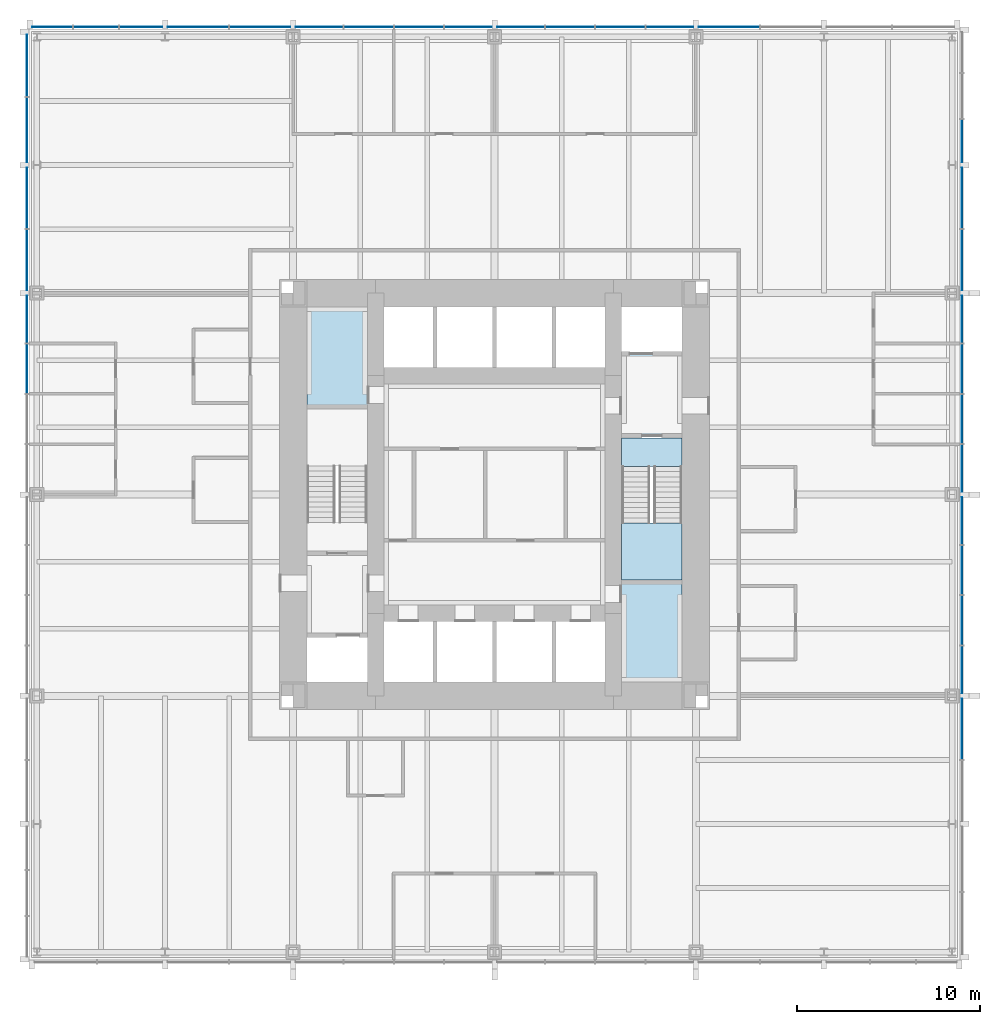
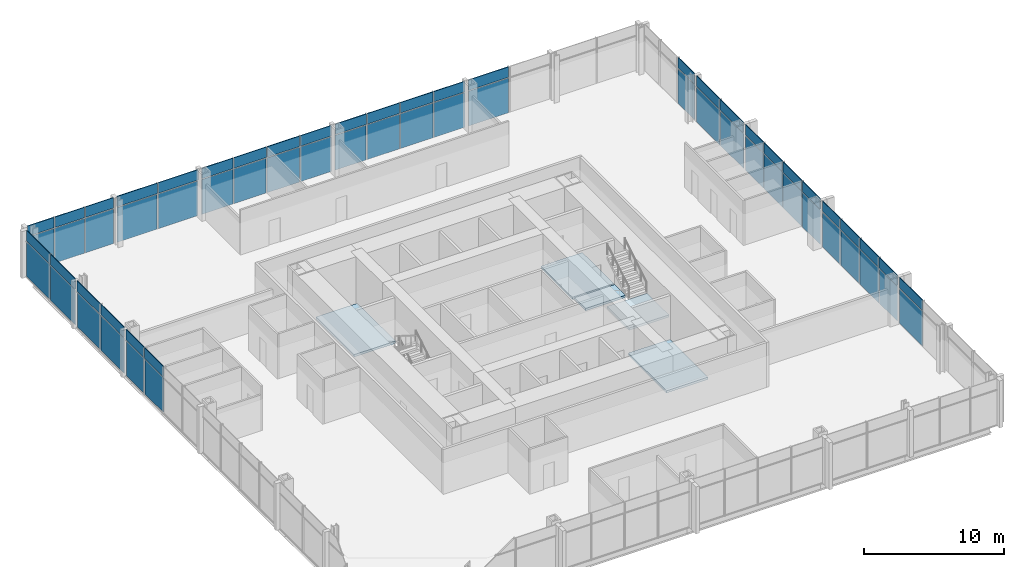
# One storey, part 8 of 12: 64 plates, 5 slabs, 4 elements without a shape of their own.
"""IFC4 building model written with IfcOpenShell, lengths in metres."""

from ifc_helpers import new_model, si_unit, direction, frame, origin, origin_2d, place, context, subcontext, project, spatial, polyline, rectangle, outline, extrude, material, layer, layer_set, type_object, element, aggregate, save


model = new_model("IFC4")

# Units and contexts
model_context = context("Model", 3, precision=1e-05, world=origin(), true_north=direction((0.0, 1.0)))
body_context = subcontext(model_context, "Body", "Model", "MODEL_VIEW")
ifc_project = project(units=[si_unit("LENGTHUNIT", "METRE"), si_unit("AREAUNIT", "SQUARE_METRE"), si_unit("VOLUMEUNIT", "CUBIC_METRE"), si_unit("PLANEANGLEUNIT", "RADIAN"), si_unit("MASSUNIT", "GRAM", prefix="KILO")], contexts=[model_context])

# Site, building, storey
site_placement = place(None, origin())
site = spatial("IfcSite", under=ifc_project, at=site_placement, CompositionType="ELEMENT")
building_placement = place(site_placement, origin())
building = spatial("IfcBuilding", under=site, at=building_placement, Name="Trevanion Tower", CompositionType="ELEMENT")
storey_placement = place(building_placement, frame((0.0, 0.0, 61.10009765625)))
storey = spatial("IfcBuildingStorey", under=building, at=storey_placement, Name="L14", CompositionType="ELEMENT", Elevation=61.10009765625)

# Curtain wall, plates
ifc_material_1 = material(Name="Aluminium and glass", Category="aluminium")
curtain_wall_type = type_object("IfcCurtainWallType", Name="CW1 curtain wall", PredefinedType="USERDEFINED", material=ifc_material_1)
curtain_wall_1_placement = place(storey_placement, origin())
curtain_wall_1 = element("IfcCurtainWall", 1, at=curtain_wall_1_placement, inside=storey, type_object=curtain_wall_type, Name="CW1 L14 0", ObjectType="UNITISED CURTAIN WALL", PredefinedType="USERDEFINED")
ifc_material_2 = material(Name="Aluminium spandrel panel", Category="aluminium")
ifc_layer_1 = layer(ifc_material_2, 0.06005859375)
ifc_layer_set_1 = layer_set([ifc_layer_1], Name="CW1 spandrel panel")
plate_type_1 = type_object("IfcPlateType", Name="CW1 spandrel panel", PredefinedType="CURTAIN_PANEL", material=ifc_layer_set_1)
plate_1_placement = place(storey_placement, frame((25.550048828125, -12.806396484375, 2.997314453125), z_axis=(0.0, 0.0, 1.0), x_axis=(0.0, 1.0, 0.0)))
plate_1 = element("IfcPlate", 2, at=plate_1_placement, type_object=plate_type_1, Name="CW1 panel 4.2", PredefinedType="CURTAIN_PANEL", context=body_context, shape_type="SweptSolid", body=[
    extrude(rectangle(XDim=3.3125, YDim=0.06005859375, at=origin_2d()), origin(), (0.0, 0.0, 1.0), 0.91259765625),
])
plate_2_placement = place(storey_placement, frame((25.550048828125, -9.56884765625, 2.997314453125), z_axis=(0.0, 0.0, 1.0), x_axis=(0.0, 1.0, 0.0)))
plate_2 = element("IfcPlate", 3, at=plate_2_placement, type_object=plate_type_1, Name="CW1 panel 5.2", PredefinedType="CURTAIN_PANEL", context=body_context, shape_type="SweptSolid", body=[
    extrude(rectangle(XDim=2.5625, YDim=0.06005859375, at=origin_2d()), origin(), (0.0, 0.0, 1.0), 0.91259765625),
])
plate_3_placement = place(storey_placement, frame((25.550048828125, -6.875, 2.997314453125), z_axis=(0.0, 0.0, 1.0), x_axis=(0.0, 1.0, 0.0)))
plate_3 = element("IfcPlate", 4, at=plate_3_placement, type_object=plate_type_1, Name="CW1 panel 6.2", PredefinedType="CURTAIN_PANEL", context=body_context, shape_type="SweptSolid", body=[
    extrude(rectangle(XDim=2.675048828125, YDim=0.06005859375, at=origin_2d()), origin(), (0.0, 0.0, 1.0), 0.91259765625),
])
plate_4_placement = place(storey_placement, frame((25.550048828125, -4.125, 2.997314453125), z_axis=(0.0, 0.0, 1.0), x_axis=(0.0, 1.0, 0.0)))
plate_4 = element("IfcPlate", 5, at=plate_4_placement, type_object=plate_type_1, Name="CW1 panel 7.2", PredefinedType="CURTAIN_PANEL", context=body_context, shape_type="SweptSolid", body=[
    extrude(rectangle(XDim=2.675048828125, YDim=0.06005859375, at=origin_2d()), origin(), (0.0, 0.0, 1.0), 0.91259765625),
])
plate_5_placement = place(storey_placement, frame((25.550048828125, -1.43115234375, 2.997314453125), z_axis=(0.0, 0.0, 1.0), x_axis=(0.0, 1.0, 0.0)))
plate_5 = element("IfcPlate", 6, at=plate_5_placement, type_object=plate_type_1, Name="CW1 panel 8.2", PredefinedType="CURTAIN_PANEL", context=body_context, shape_type="SweptSolid", body=[
    extrude(rectangle(XDim=2.5625, YDim=0.06005859375, at=origin_2d()), origin(), (0.0, 0.0, 1.0), 0.91259765625),
])
plate_6_placement = place(storey_placement, frame((25.550048828125, 1.43115234375, 2.997314453125), z_axis=(0.0, 0.0, 1.0), x_axis=(0.0, 1.0, 0.0)))
plate_6 = element("IfcPlate", 7, at=plate_6_placement, type_object=plate_type_1, Name="CW1 panel 9.2", PredefinedType="CURTAIN_PANEL", context=body_context, shape_type="SweptSolid", body=[
    extrude(rectangle(XDim=2.5625, YDim=0.06005859375, at=origin_2d()), origin(), (0.0, 0.0, 1.0), 0.91259765625),
])
plate_7_placement = place(storey_placement, frame((25.550048828125, 4.125, 2.997314453125), z_axis=(0.0, 0.0, 1.0), x_axis=(0.0, 1.0, 0.0)))
plate_7 = element("IfcPlate", 8, at=plate_7_placement, type_object=plate_type_1, Name="CW1 panel 10.2", PredefinedType="CURTAIN_PANEL", context=body_context, shape_type="SweptSolid", body=[
    extrude(rectangle(XDim=2.675048828125, YDim=0.06005859375, at=origin_2d()), origin(), (0.0, 0.0, 1.0), 0.91259765625),
])
plate_8_placement = place(storey_placement, frame((25.550048828125, 6.875, 2.997314453125), z_axis=(0.0, 0.0, 1.0), x_axis=(0.0, 1.0, 0.0)))
plate_8 = element("IfcPlate", 9, at=plate_8_placement, type_object=plate_type_1, Name="CW1 panel 11.2", PredefinedType="CURTAIN_PANEL", context=body_context, shape_type="SweptSolid", body=[
    extrude(rectangle(XDim=2.675048828125, YDim=0.06005859375, at=origin_2d()), origin(), (0.0, 0.0, 1.0), 0.91259765625),
])
plate_9_placement = place(storey_placement, frame((25.550048828125, 9.56884765625, 2.997314453125), z_axis=(0.0, 0.0, 1.0), x_axis=(0.0, 1.0, 0.0)))
plate_9 = element("IfcPlate", 10, at=plate_9_placement, type_object=plate_type_1, Name="CW1 panel 12.2", PredefinedType="CURTAIN_PANEL", context=body_context, shape_type="SweptSolid", body=[
    extrude(rectangle(XDim=2.5625, YDim=0.06005859375, at=origin_2d()), origin(), (0.0, 0.0, 1.0), 0.91259765625),
])
plate_10_placement = place(storey_placement, frame((25.550048828125, 12.80615234375, 2.997314453125), z_axis=(0.0, 0.0, 1.0), x_axis=(0.0, 1.0, 0.0)))
plate_10 = element("IfcPlate", 11, at=plate_10_placement, type_object=plate_type_1, Name="CW1 panel 13.2", PredefinedType="CURTAIN_PANEL", context=body_context, shape_type="SweptSolid", body=[
    extrude(rectangle(XDim=3.3125, YDim=0.06005859375, at=origin_2d()), origin(), (0.0, 0.0, 1.0), 0.91259765625),
])
plate_11_placement = place(storey_placement, frame((25.550048828125, 16.19384765625, 2.997314453125), z_axis=(0.0, 0.0, 1.0), x_axis=(0.0, 1.0, 0.0)))
plate_11 = element("IfcPlate", 12, at=plate_11_placement, type_object=plate_type_1, Name="CW1 panel 14.2", PredefinedType="CURTAIN_PANEL", context=body_context, shape_type="SweptSolid", body=[
    extrude(rectangle(XDim=3.3125, YDim=0.06005859375, at=origin_2d()), origin(), (0.0, 0.0, 1.0), 0.91259765625),
])
plate_12_placement = place(storey_placement, frame((25.550048828125, 19.314697265625, 2.997314453125), z_axis=(0.0, 0.0, 1.0), x_axis=(0.0, 1.0, 0.0)))
plate_12 = element("IfcPlate", 13, at=plate_12_placement, type_object=plate_type_1, Name="CW1 panel 15.2", PredefinedType="CURTAIN_PANEL", context=body_context, shape_type="SweptSolid", body=[
    extrude(rectangle(XDim=2.3291015625, YDim=0.06005859375, at=origin_2d()), origin(), (0.0, 0.0, 1.0), 0.91259765625),
])

curtain_wall_2_placement = place(storey_placement, origin())
curtain_wall_2 = element("IfcCurtainWall", 14, at=curtain_wall_2_placement, inside=storey, type_object=curtain_wall_type, Name="CW1 L14 1", ObjectType="UNITISED CURTAIN WALL", PredefinedType="USERDEFINED")
plate_13_placement = place(storey_placement, frame((12.806396484375, 25.550048828125, 2.997314453125), z_axis=(0.0, 0.0, 1.0), x_axis=(-1.0, 0.0, 0.0)))
plate_13 = element("IfcPlate", 15, at=plate_13_placement, type_object=plate_type_1, Name="CW1 panel 4.2", PredefinedType="CURTAIN_PANEL", context=body_context, shape_type="SweptSolid", body=[
    extrude(rectangle(XDim=3.3125, YDim=0.06005859375, at=origin_2d()), origin(), (0.0, 0.0, 1.0), 0.91259765625),
])
plate_14_placement = place(storey_placement, frame((9.56884765625, 25.550048828125, 2.997314453125), z_axis=(0.0, 0.0, 1.0), x_axis=(-1.0, 0.0, 0.0)))
plate_14 = element("IfcPlate", 16, at=plate_14_placement, type_object=plate_type_1, Name="CW1 panel 5.2", PredefinedType="CURTAIN_PANEL", context=body_context, shape_type="SweptSolid", body=[
    extrude(rectangle(XDim=2.5625, YDim=0.06005859375, at=origin_2d()), origin(), (0.0, 0.0, 1.0), 0.91259765625),
])
plate_15_placement = place(storey_placement, frame((6.875, 25.550048828125, 2.997314453125), z_axis=(0.0, 0.0, 1.0), x_axis=(-1.0, 0.0, 0.0)))
plate_15 = element("IfcPlate", 17, at=plate_15_placement, type_object=plate_type_1, Name="CW1 panel 6.2", PredefinedType="CURTAIN_PANEL", context=body_context, shape_type="SweptSolid", body=[
    extrude(rectangle(XDim=2.675048828125, YDim=0.06005859375, at=origin_2d()), origin(), (0.0, 0.0, 1.0), 0.91259765625),
])
plate_16_placement = place(storey_placement, frame((4.125, 25.550048828125, 2.997314453125), z_axis=(0.0, 0.0, 1.0), x_axis=(-1.0, 0.0, 0.0)))
plate_16 = element("IfcPlate", 18, at=plate_16_placement, type_object=plate_type_1, Name="CW1 panel 7.2", PredefinedType="CURTAIN_PANEL", context=body_context, shape_type="SweptSolid", body=[
    extrude(rectangle(XDim=2.675048828125, YDim=0.06005859375, at=origin_2d()), origin(), (0.0, 0.0, 1.0), 0.91259765625),
])
plate_17_placement = place(storey_placement, frame((1.43115234375, 25.550048828125, 2.997314453125), z_axis=(0.0, 0.0, 1.0), x_axis=(-1.0, 0.0, 0.0)))
plate_17 = element("IfcPlate", 19, at=plate_17_placement, type_object=plate_type_1, Name="CW1 panel 8.2", PredefinedType="CURTAIN_PANEL", context=body_context, shape_type="SweptSolid", body=[
    extrude(rectangle(XDim=2.5625, YDim=0.06005859375, at=origin_2d()), origin(), (0.0, 0.0, 1.0), 0.91259765625),
])
plate_18_placement = place(storey_placement, frame((-1.43115234375, 25.550048828125, 2.997314453125), z_axis=(0.0, 0.0, 1.0), x_axis=(-1.0, 0.0, 0.0)))
plate_18 = element("IfcPlate", 20, at=plate_18_placement, type_object=plate_type_1, Name="CW1 panel 9.2", PredefinedType="CURTAIN_PANEL", context=body_context, shape_type="SweptSolid", body=[
    extrude(rectangle(XDim=2.5625, YDim=0.06005859375, at=origin_2d()), origin(), (0.0, 0.0, 1.0), 0.91259765625),
])
plate_19_placement = place(storey_placement, frame((-4.125, 25.550048828125, 2.997314453125), z_axis=(0.0, 0.0, 1.0), x_axis=(-1.0, 0.0, 0.0)))
plate_19 = element("IfcPlate", 21, at=plate_19_placement, type_object=plate_type_1, Name="CW1 panel 10.2", PredefinedType="CURTAIN_PANEL", context=body_context, shape_type="SweptSolid", body=[
    extrude(rectangle(XDim=2.675048828125, YDim=0.06005859375, at=origin_2d()), origin(), (0.0, 0.0, 1.0), 0.91259765625),
])
plate_20_placement = place(storey_placement, frame((-6.875, 25.550048828125, 2.997314453125), z_axis=(0.0, 0.0, 1.0), x_axis=(-1.0, 0.0, 0.0)))
plate_20 = element("IfcPlate", 22, at=plate_20_placement, type_object=plate_type_1, Name="CW1 panel 11.2", PredefinedType="CURTAIN_PANEL", context=body_context, shape_type="SweptSolid", body=[
    extrude(rectangle(XDim=2.675048828125, YDim=0.06005859375, at=origin_2d()), origin(), (0.0, 0.0, 1.0), 0.91259765625),
])
plate_21_placement = place(storey_placement, frame((-9.56884765625, 25.550048828125, 2.997314453125), z_axis=(0.0, 0.0, 1.0), x_axis=(-1.0, 0.0, 0.0)))
plate_21 = element("IfcPlate", 23, at=plate_21_placement, type_object=plate_type_1, Name="CW1 panel 12.2", PredefinedType="CURTAIN_PANEL", context=body_context, shape_type="SweptSolid", body=[
    extrude(rectangle(XDim=2.5625, YDim=0.06005859375, at=origin_2d()), origin(), (0.0, 0.0, 1.0), 0.91259765625),
])
plate_22_placement = place(storey_placement, frame((-12.80615234375, 25.550048828125, 2.997314453125), z_axis=(0.0, 0.0, 1.0), x_axis=(-1.0, 0.0, 0.0)))
plate_22 = element("IfcPlate", 24, at=plate_22_placement, type_object=plate_type_1, Name="CW1 panel 13.2", PredefinedType="CURTAIN_PANEL", context=body_context, shape_type="SweptSolid", body=[
    extrude(rectangle(XDim=3.3125, YDim=0.06005859375, at=origin_2d()), origin(), (0.0, 0.0, 1.0), 0.91259765625),
])
plate_23_placement = place(storey_placement, frame((-16.19384765625, 25.550048828125, 2.997314453125), z_axis=(0.0, 0.0, 1.0), x_axis=(-1.0, 0.0, 0.0)))
plate_23 = element("IfcPlate", 25, at=plate_23_placement, type_object=plate_type_1, Name="CW1 panel 14.2", PredefinedType="CURTAIN_PANEL", context=body_context, shape_type="SweptSolid", body=[
    extrude(rectangle(XDim=3.3125, YDim=0.06005859375, at=origin_2d()), origin(), (0.0, 0.0, 1.0), 0.91259765625),
])
plate_24_placement = place(storey_placement, frame((-19.314697265625, 25.550048828125, 2.997314453125), z_axis=(0.0, 0.0, 1.0), x_axis=(-1.0, 0.0, 0.0)))
plate_24 = element("IfcPlate", 26, at=plate_24_placement, type_object=plate_type_1, Name="CW1 panel 15.2", PredefinedType="CURTAIN_PANEL", context=body_context, shape_type="SweptSolid", body=[
    extrude(rectangle(XDim=2.3291015625, YDim=0.06005859375, at=origin_2d()), origin(), (0.0, 0.0, 1.0), 0.91259765625),
])
plate_25_placement = place(storey_placement, frame((-21.77490234375, 25.550048828125, 2.997314453125), z_axis=(0.0, 0.0, 1.0), x_axis=(-1.0, 0.0, 0.0)))
plate_25 = element("IfcPlate", 27, at=plate_25_placement, type_object=plate_type_1, Name="CW1 panel 16.2", PredefinedType="CURTAIN_PANEL", context=body_context, shape_type="SweptSolid", body=[
    extrude(rectangle(XDim=2.441650390625, YDim=0.06005859375, at=origin_2d()), origin(), (0.0, 0.0, 1.0), 0.91259765625),
])
plate_26_placement = place(storey_placement, frame((-24.160400390625, 25.550048828125, 2.997314453125), z_axis=(0.0, 0.0, 1.0), x_axis=(-1.0, 0.0, 0.0)))
plate_26 = element("IfcPlate", 28, at=plate_26_placement, type_object=plate_type_1, Name="CW1 panel 17.2", PredefinedType="CURTAIN_PANEL", context=body_context, shape_type="SweptSolid", body=[
    extrude(rectangle(XDim=2.17919921875, YDim=0.06005859375, at=origin_2d()), origin(), (0.0, 0.0, 1.0), 0.91259765625),
])

curtain_wall_3_placement = place(storey_placement, origin())
curtain_wall_3 = element("IfcCurtainWall", 29, at=curtain_wall_3_placement, inside=storey, type_object=curtain_wall_type, Name="CW1 L14 2", ObjectType="UNITISED CURTAIN WALL", PredefinedType="USERDEFINED")
plate_27_placement = place(storey_placement, frame((-25.550048828125, 23.433837890625, 2.997314453125), z_axis=(0.0, 0.0, 1.0), x_axis=(0.0, -1.0, 0.0)))
plate_27 = element("IfcPlate", 30, at=plate_27_placement, type_object=plate_type_1, Name="CW1 panel 1.2", PredefinedType="CURTAIN_PANEL", context=body_context, shape_type="SweptSolid", body=[
    extrude(rectangle(XDim=3.37255859375, YDim=0.06005859375, at=origin_2d()), origin(), (0.0, 0.0, 1.0), 0.91259765625),
])
plate_28_placement = place(storey_placement, frame((-25.550048828125, 19.911376953125, 2.997314453125), z_axis=(0.0, 0.0, 1.0), x_axis=(0.0, -1.0, 0.0)))
plate_28 = element("IfcPlate", 31, at=plate_28_placement, type_object=plate_type_1, Name="CW1 panel 2.2", PredefinedType="CURTAIN_PANEL", context=body_context, shape_type="SweptSolid", body=[
    extrude(rectangle(XDim=3.5224609375, YDim=0.06005859375, at=origin_2d()), origin(), (0.0, 0.0, 1.0), 0.91259765625),
])
plate_29_placement = place(storey_placement, frame((-25.550048828125, 16.19384765625, 2.997314453125), z_axis=(0.0, 0.0, 1.0), x_axis=(0.0, -1.0, 0.0)))
plate_29 = element("IfcPlate", 32, at=plate_29_placement, type_object=plate_type_1, Name="CW1 panel 3.2", PredefinedType="CURTAIN_PANEL", context=body_context, shape_type="SweptSolid", body=[
    extrude(rectangle(XDim=3.3125, YDim=0.06005859375, at=origin_2d()), origin(), (0.0, 0.0, 1.0), 0.91259765625),
])
plate_30_placement = place(storey_placement, frame((-25.550048828125, 12.806396484375, 2.997314453125), z_axis=(0.0, 0.0, 1.0), x_axis=(0.0, -1.0, 0.0)))
plate_30 = element("IfcPlate", 33, at=plate_30_placement, type_object=plate_type_1, Name="CW1 panel 4.2", PredefinedType="CURTAIN_PANEL", context=body_context, shape_type="SweptSolid", body=[
    extrude(rectangle(XDim=3.3125, YDim=0.06005859375, at=origin_2d()), origin(), (0.0, 0.0, 1.0), 0.91259765625),
])
plate_31_placement = place(storey_placement, frame((-25.550048828125, 9.56884765625, 2.997314453125), z_axis=(0.0, 0.0, 1.0), x_axis=(0.0, -1.0, 0.0)))
plate_31 = element("IfcPlate", 34, at=plate_31_placement, type_object=plate_type_1, Name="CW1 panel 5.2", PredefinedType="CURTAIN_PANEL", context=body_context, shape_type="SweptSolid", body=[
    extrude(rectangle(XDim=2.5625, YDim=0.06005859375, at=origin_2d()), origin(), (0.0, 0.0, 1.0), 0.91259765625),
])
plate_32_placement = place(storey_placement, frame((-25.550048828125, 6.875, 2.997314453125), z_axis=(0.0, 0.0, 1.0), x_axis=(0.0, -1.0, 0.0)))
plate_32 = element("IfcPlate", 35, at=plate_32_placement, type_object=plate_type_1, Name="CW1 panel 6.2", PredefinedType="CURTAIN_PANEL", context=body_context, shape_type="SweptSolid", body=[
    extrude(rectangle(XDim=2.675048828125, YDim=0.06005859375, at=origin_2d()), origin(), (0.0, 0.0, 1.0), 0.91259765625),
])

# Plate
ifc_material_3 = material(Name="Insulating glass unit", Category="glass")
ifc_layer_2 = layer(ifc_material_3, 0.028076171875)
ifc_layer_set_2 = layer_set([ifc_layer_2], Name="CW1 vision panel")
plate_type_2 = type_object("IfcPlateType", Name="CW1 vision panel", PredefinedType="CURTAIN_PANEL", material=ifc_layer_set_2)
plate_33_placement = place(storey_placement, frame((25.550048828125, -12.806396484375, -0.114990234375), z_axis=(0.0, 0.0, 1.0), x_axis=(0.0, 1.0, 0.0)))
plate_33 = element("IfcPlate", 36, at=plate_33_placement, type_object=plate_type_2, Name="CW1 panel 4.1", PredefinedType="CURTAIN_PANEL", context=body_context, shape_type="SweptSolid", body=[
    extrude(rectangle(XDim=3.3125, YDim=0.028076171875, at=origin_2d()), origin(), (0.0, 0.0, 1.0), 3.03759765625),
])

plate_34_placement = place(storey_placement, frame((25.550048828125, -9.56884765625, -0.114990234375), z_axis=(0.0, 0.0, 1.0), x_axis=(0.0, 1.0, 0.0)))
plate_34 = element("IfcPlate", 37, at=plate_34_placement, type_object=plate_type_2, Name="CW1 panel 5.1", PredefinedType="CURTAIN_PANEL", context=body_context, shape_type="SweptSolid", body=[
    extrude(rectangle(XDim=2.5625, YDim=0.028076171875, at=origin_2d()), origin(), (0.0, 0.0, 1.0), 3.03759765625),
])

plate_35_placement = place(storey_placement, frame((25.550048828125, -6.875, -0.114990234375), z_axis=(0.0, 0.0, 1.0), x_axis=(0.0, 1.0, 0.0)))
plate_35 = element("IfcPlate", 38, at=plate_35_placement, type_object=plate_type_2, Name="CW1 panel 6.1", PredefinedType="CURTAIN_PANEL", context=body_context, shape_type="SweptSolid", body=[
    extrude(rectangle(XDim=2.675048828125, YDim=0.028076171875, at=origin_2d()), origin(), (0.0, 0.0, 1.0), 3.03759765625),
])

plate_36_placement = place(storey_placement, frame((25.550048828125, -4.125, -0.114990234375), z_axis=(0.0, 0.0, 1.0), x_axis=(0.0, 1.0, 0.0)))
plate_36 = element("IfcPlate", 39, at=plate_36_placement, type_object=plate_type_2, Name="CW1 panel 7.1", PredefinedType="CURTAIN_PANEL", context=body_context, shape_type="SweptSolid", body=[
    extrude(rectangle(XDim=2.675048828125, YDim=0.028076171875, at=origin_2d()), origin(), (0.0, 0.0, 1.0), 3.03759765625),
])

plate_37_placement = place(storey_placement, frame((25.550048828125, -1.43115234375, -0.114990234375), z_axis=(0.0, 0.0, 1.0), x_axis=(0.0, 1.0, 0.0)))
plate_37 = element("IfcPlate", 40, at=plate_37_placement, type_object=plate_type_2, Name="CW1 panel 8.1", PredefinedType="CURTAIN_PANEL", context=body_context, shape_type="SweptSolid", body=[
    extrude(rectangle(XDim=2.5625, YDim=0.028076171875, at=origin_2d()), origin(), (0.0, 0.0, 1.0), 3.03759765625),
])

plate_38_placement = place(storey_placement, frame((25.550048828125, 1.43115234375, -0.114990234375), z_axis=(0.0, 0.0, 1.0), x_axis=(0.0, 1.0, 0.0)))
plate_38 = element("IfcPlate", 41, at=plate_38_placement, type_object=plate_type_2, Name="CW1 panel 9.1", PredefinedType="CURTAIN_PANEL", context=body_context, shape_type="SweptSolid", body=[
    extrude(rectangle(XDim=2.5625, YDim=0.028076171875, at=origin_2d()), origin(), (0.0, 0.0, 1.0), 3.03759765625),
])

plate_39_placement = place(storey_placement, frame((25.550048828125, 4.125, -0.114990234375), z_axis=(0.0, 0.0, 1.0), x_axis=(0.0, 1.0, 0.0)))
plate_39 = element("IfcPlate", 42, at=plate_39_placement, type_object=plate_type_2, Name="CW1 panel 10.1", PredefinedType="CURTAIN_PANEL", context=body_context, shape_type="SweptSolid", body=[
    extrude(rectangle(XDim=2.675048828125, YDim=0.028076171875, at=origin_2d()), origin(), (0.0, 0.0, 1.0), 3.03759765625),
])

plate_40_placement = place(storey_placement, frame((25.550048828125, 6.875, -0.114990234375), z_axis=(0.0, 0.0, 1.0), x_axis=(0.0, 1.0, 0.0)))
plate_40 = element("IfcPlate", 43, at=plate_40_placement, type_object=plate_type_2, Name="CW1 panel 11.1", PredefinedType="CURTAIN_PANEL", context=body_context, shape_type="SweptSolid", body=[
    extrude(rectangle(XDim=2.675048828125, YDim=0.028076171875, at=origin_2d()), origin(), (0.0, 0.0, 1.0), 3.03759765625),
])

plate_41_placement = place(storey_placement, frame((25.550048828125, 9.56884765625, -0.114990234375), z_axis=(0.0, 0.0, 1.0), x_axis=(0.0, 1.0, 0.0)))
plate_41 = element("IfcPlate", 44, at=plate_41_placement, type_object=plate_type_2, Name="CW1 panel 12.1", PredefinedType="CURTAIN_PANEL", context=body_context, shape_type="SweptSolid", body=[
    extrude(rectangle(XDim=2.5625, YDim=0.028076171875, at=origin_2d()), origin(), (0.0, 0.0, 1.0), 3.03759765625),
])

plate_42_placement = place(storey_placement, frame((25.550048828125, 12.80615234375, -0.114990234375), z_axis=(0.0, 0.0, 1.0), x_axis=(0.0, 1.0, 0.0)))
plate_42 = element("IfcPlate", 45, at=plate_42_placement, type_object=plate_type_2, Name="CW1 panel 13.1", PredefinedType="CURTAIN_PANEL", context=body_context, shape_type="SweptSolid", body=[
    extrude(rectangle(XDim=3.3125, YDim=0.028076171875, at=origin_2d()), origin(), (0.0, 0.0, 1.0), 3.03759765625),
])

plate_43_placement = place(storey_placement, frame((25.550048828125, 16.19384765625, -0.114990234375), z_axis=(0.0, 0.0, 1.0), x_axis=(0.0, 1.0, 0.0)))
plate_43 = element("IfcPlate", 46, at=plate_43_placement, type_object=plate_type_2, Name="CW1 panel 14.1", PredefinedType="CURTAIN_PANEL", context=body_context, shape_type="SweptSolid", body=[
    extrude(rectangle(XDim=3.3125, YDim=0.028076171875, at=origin_2d()), origin(), (0.0, 0.0, 1.0), 3.03759765625),
])

plate_44_placement = place(storey_placement, frame((25.550048828125, 19.314697265625, -0.114990234375), z_axis=(0.0, 0.0, 1.0), x_axis=(0.0, 1.0, 0.0)))
plate_44 = element("IfcPlate", 47, at=plate_44_placement, type_object=plate_type_2, Name="CW1 panel 15.1", PredefinedType="CURTAIN_PANEL", context=body_context, shape_type="SweptSolid", body=[
    extrude(rectangle(XDim=2.3291015625, YDim=0.028076171875, at=origin_2d()), origin(), (0.0, 0.0, 1.0), 3.03759765625),
])

aggregate(curtain_wall_1, [plate_33, plate_1, plate_34, plate_2, plate_35, plate_3, plate_36, plate_4, plate_37, plate_5, plate_38, plate_6, plate_39, plate_7, plate_40, plate_8, plate_41, plate_9, plate_42, plate_10, plate_43, plate_11, plate_44, plate_12])

plate_45_placement = place(storey_placement, frame((12.806396484375, 25.550048828125, -0.114990234375), z_axis=(0.0, 0.0, 1.0), x_axis=(-1.0, 0.0, 0.0)))
plate_45 = element("IfcPlate", 48, at=plate_45_placement, type_object=plate_type_2, Name="CW1 panel 4.1", PredefinedType="CURTAIN_PANEL", context=body_context, shape_type="SweptSolid", body=[
    extrude(rectangle(XDim=3.3125, YDim=0.028076171875, at=origin_2d()), origin(), (0.0, 0.0, 1.0), 3.03759765625),
])

plate_46_placement = place(storey_placement, frame((9.56884765625, 25.550048828125, -0.114990234375), z_axis=(0.0, 0.0, 1.0), x_axis=(-1.0, 0.0, 0.0)))
plate_46 = element("IfcPlate", 49, at=plate_46_placement, type_object=plate_type_2, Name="CW1 panel 5.1", PredefinedType="CURTAIN_PANEL", context=body_context, shape_type="SweptSolid", body=[
    extrude(rectangle(XDim=2.5625, YDim=0.028076171875, at=origin_2d()), origin(), (0.0, 0.0, 1.0), 3.03759765625),
])

plate_47_placement = place(storey_placement, frame((6.875, 25.550048828125, -0.114990234375), z_axis=(0.0, 0.0, 1.0), x_axis=(-1.0, 0.0, 0.0)))
plate_47 = element("IfcPlate", 50, at=plate_47_placement, type_object=plate_type_2, Name="CW1 panel 6.1", PredefinedType="CURTAIN_PANEL", context=body_context, shape_type="SweptSolid", body=[
    extrude(rectangle(XDim=2.675048828125, YDim=0.028076171875, at=origin_2d()), origin(), (0.0, 0.0, 1.0), 3.03759765625),
])

plate_48_placement = place(storey_placement, frame((4.125, 25.550048828125, -0.114990234375), z_axis=(0.0, 0.0, 1.0), x_axis=(-1.0, 0.0, 0.0)))
plate_48 = element("IfcPlate", 51, at=plate_48_placement, type_object=plate_type_2, Name="CW1 panel 7.1", PredefinedType="CURTAIN_PANEL", context=body_context, shape_type="SweptSolid", body=[
    extrude(rectangle(XDim=2.675048828125, YDim=0.028076171875, at=origin_2d()), origin(), (0.0, 0.0, 1.0), 3.03759765625),
])

plate_49_placement = place(storey_placement, frame((1.43115234375, 25.550048828125, -0.114990234375), z_axis=(0.0, 0.0, 1.0), x_axis=(-1.0, 0.0, 0.0)))
plate_49 = element("IfcPlate", 52, at=plate_49_placement, type_object=plate_type_2, Name="CW1 panel 8.1", PredefinedType="CURTAIN_PANEL", context=body_context, shape_type="SweptSolid", body=[
    extrude(rectangle(XDim=2.5625, YDim=0.028076171875, at=origin_2d()), origin(), (0.0, 0.0, 1.0), 3.03759765625),
])

plate_50_placement = place(storey_placement, frame((-1.43115234375, 25.550048828125, -0.114990234375), z_axis=(0.0, 0.0, 1.0), x_axis=(-1.0, 0.0, 0.0)))
plate_50 = element("IfcPlate", 53, at=plate_50_placement, type_object=plate_type_2, Name="CW1 panel 9.1", PredefinedType="CURTAIN_PANEL", context=body_context, shape_type="SweptSolid", body=[
    extrude(rectangle(XDim=2.5625, YDim=0.028076171875, at=origin_2d()), origin(), (0.0, 0.0, 1.0), 3.03759765625),
])

plate_51_placement = place(storey_placement, frame((-4.125, 25.550048828125, -0.114990234375), z_axis=(0.0, 0.0, 1.0), x_axis=(-1.0, 0.0, 0.0)))
plate_51 = element("IfcPlate", 54, at=plate_51_placement, type_object=plate_type_2, Name="CW1 panel 10.1", PredefinedType="CURTAIN_PANEL", context=body_context, shape_type="SweptSolid", body=[
    extrude(rectangle(XDim=2.675048828125, YDim=0.028076171875, at=origin_2d()), origin(), (0.0, 0.0, 1.0), 3.03759765625),
])

plate_52_placement = place(storey_placement, frame((-6.875, 25.550048828125, -0.114990234375), z_axis=(0.0, 0.0, 1.0), x_axis=(-1.0, 0.0, 0.0)))
plate_52 = element("IfcPlate", 55, at=plate_52_placement, type_object=plate_type_2, Name="CW1 panel 11.1", PredefinedType="CURTAIN_PANEL", context=body_context, shape_type="SweptSolid", body=[
    extrude(rectangle(XDim=2.675048828125, YDim=0.028076171875, at=origin_2d()), origin(), (0.0, 0.0, 1.0), 3.03759765625),
])

plate_53_placement = place(storey_placement, frame((-9.56884765625, 25.550048828125, -0.114990234375), z_axis=(0.0, 0.0, 1.0), x_axis=(-1.0, 0.0, 0.0)))
plate_53 = element("IfcPlate", 56, at=plate_53_placement, type_object=plate_type_2, Name="CW1 panel 12.1", PredefinedType="CURTAIN_PANEL", context=body_context, shape_type="SweptSolid", body=[
    extrude(rectangle(XDim=2.5625, YDim=0.028076171875, at=origin_2d()), origin(), (0.0, 0.0, 1.0), 3.03759765625),
])

plate_54_placement = place(storey_placement, frame((-12.80615234375, 25.550048828125, -0.114990234375), z_axis=(0.0, 0.0, 1.0), x_axis=(-1.0, 0.0, 0.0)))
plate_54 = element("IfcPlate", 57, at=plate_54_placement, type_object=plate_type_2, Name="CW1 panel 13.1", PredefinedType="CURTAIN_PANEL", context=body_context, shape_type="SweptSolid", body=[
    extrude(rectangle(XDim=3.3125, YDim=0.028076171875, at=origin_2d()), origin(), (0.0, 0.0, 1.0), 3.03759765625),
])

plate_55_placement = place(storey_placement, frame((-16.19384765625, 25.550048828125, -0.114990234375), z_axis=(0.0, 0.0, 1.0), x_axis=(-1.0, 0.0, 0.0)))
plate_55 = element("IfcPlate", 58, at=plate_55_placement, type_object=plate_type_2, Name="CW1 panel 14.1", PredefinedType="CURTAIN_PANEL", context=body_context, shape_type="SweptSolid", body=[
    extrude(rectangle(XDim=3.3125, YDim=0.028076171875, at=origin_2d()), origin(), (0.0, 0.0, 1.0), 3.03759765625),
])

plate_56_placement = place(storey_placement, frame((-19.314697265625, 25.550048828125, -0.114990234375), z_axis=(0.0, 0.0, 1.0), x_axis=(-1.0, 0.0, 0.0)))
plate_56 = element("IfcPlate", 59, at=plate_56_placement, type_object=plate_type_2, Name="CW1 panel 15.1", PredefinedType="CURTAIN_PANEL", context=body_context, shape_type="SweptSolid", body=[
    extrude(rectangle(XDim=2.3291015625, YDim=0.028076171875, at=origin_2d()), origin(), (0.0, 0.0, 1.0), 3.03759765625),
])

plate_57_placement = place(storey_placement, frame((-21.77490234375, 25.550048828125, -0.114990234375), z_axis=(0.0, 0.0, 1.0), x_axis=(-1.0, 0.0, 0.0)))
plate_57 = element("IfcPlate", 60, at=plate_57_placement, type_object=plate_type_2, Name="CW1 panel 16.1", PredefinedType="CURTAIN_PANEL", context=body_context, shape_type="SweptSolid", body=[
    extrude(rectangle(XDim=2.441650390625, YDim=0.028076171875, at=origin_2d()), origin(), (0.0, 0.0, 1.0), 3.03759765625),
])

plate_58_placement = place(storey_placement, frame((-24.160400390625, 25.550048828125, -0.114990234375), z_axis=(0.0, 0.0, 1.0), x_axis=(-1.0, 0.0, 0.0)))
plate_58 = element("IfcPlate", 61, at=plate_58_placement, type_object=plate_type_2, Name="CW1 panel 17.1", PredefinedType="CURTAIN_PANEL", context=body_context, shape_type="SweptSolid", body=[
    extrude(rectangle(XDim=2.17919921875, YDim=0.028076171875, at=origin_2d()), origin(), (0.0, 0.0, 1.0), 3.03759765625),
])

aggregate(curtain_wall_2, [plate_45, plate_13, plate_46, plate_14, plate_47, plate_15, plate_48, plate_16, plate_49, plate_17, plate_50, plate_18, plate_51, plate_19, plate_52, plate_20, plate_53, plate_21, plate_54, plate_22, plate_55, plate_23, plate_56, plate_24, plate_57, plate_25, plate_58, plate_26])

plate_59_placement = place(storey_placement, frame((-25.550048828125, 23.433837890625, -0.114990234375), z_axis=(0.0, 0.0, 1.0), x_axis=(0.0, -1.0, 0.0)))
plate_59 = element("IfcPlate", 62, at=plate_59_placement, type_object=plate_type_2, Name="CW1 panel 1.1", PredefinedType="CURTAIN_PANEL", context=body_context, shape_type="SweptSolid", body=[
    extrude(rectangle(XDim=3.37255859375, YDim=0.028076171875, at=origin_2d()), origin(), (0.0, 0.0, 1.0), 3.03759765625),
])

plate_60_placement = place(storey_placement, frame((-25.550048828125, 19.911376953125, -0.114990234375), z_axis=(0.0, 0.0, 1.0), x_axis=(0.0, -1.0, 0.0)))
plate_60 = element("IfcPlate", 63, at=plate_60_placement, type_object=plate_type_2, Name="CW1 panel 2.1", PredefinedType="CURTAIN_PANEL", context=body_context, shape_type="SweptSolid", body=[
    extrude(rectangle(XDim=3.5224609375, YDim=0.028076171875, at=origin_2d()), origin(), (0.0, 0.0, 1.0), 3.03759765625),
])

plate_61_placement = place(storey_placement, frame((-25.550048828125, 16.19384765625, -0.114990234375), z_axis=(0.0, 0.0, 1.0), x_axis=(0.0, -1.0, 0.0)))
plate_61 = element("IfcPlate", 64, at=plate_61_placement, type_object=plate_type_2, Name="CW1 panel 3.1", PredefinedType="CURTAIN_PANEL", context=body_context, shape_type="SweptSolid", body=[
    extrude(rectangle(XDim=3.3125, YDim=0.028076171875, at=origin_2d()), origin(), (0.0, 0.0, 1.0), 3.03759765625),
])

plate_62_placement = place(storey_placement, frame((-25.550048828125, 12.806396484375, -0.114990234375), z_axis=(0.0, 0.0, 1.0), x_axis=(0.0, -1.0, 0.0)))
plate_62 = element("IfcPlate", 65, at=plate_62_placement, type_object=plate_type_2, Name="CW1 panel 4.1", PredefinedType="CURTAIN_PANEL", context=body_context, shape_type="SweptSolid", body=[
    extrude(rectangle(XDim=3.3125, YDim=0.028076171875, at=origin_2d()), origin(), (0.0, 0.0, 1.0), 3.03759765625),
])

plate_63_placement = place(storey_placement, frame((-25.550048828125, 9.56884765625, -0.114990234375), z_axis=(0.0, 0.0, 1.0), x_axis=(0.0, -1.0, 0.0)))
plate_63 = element("IfcPlate", 66, at=plate_63_placement, type_object=plate_type_2, Name="CW1 panel 5.1", PredefinedType="CURTAIN_PANEL", context=body_context, shape_type="SweptSolid", body=[
    extrude(rectangle(XDim=2.5625, YDim=0.028076171875, at=origin_2d()), origin(), (0.0, 0.0, 1.0), 3.03759765625),
])

plate_64_placement = place(storey_placement, frame((-25.550048828125, 6.875, -0.114990234375), z_axis=(0.0, 0.0, 1.0), x_axis=(0.0, -1.0, 0.0)))
plate_64 = element("IfcPlate", 67, at=plate_64_placement, type_object=plate_type_2, Name="CW1 panel 6.1", PredefinedType="CURTAIN_PANEL", context=body_context, shape_type="SweptSolid", body=[
    extrude(rectangle(XDim=2.675048828125, YDim=0.028076171875, at=origin_2d()), origin(), (0.0, 0.0, 1.0), 3.03759765625),
])

aggregate(curtain_wall_3, [plate_59, plate_27, plate_60, plate_28, plate_61, plate_29, plate_62, plate_30, plate_63, plate_31, plate_64, plate_32])

# Slabs
ifc_material_4 = material(Name="Concrete 5,000 psi", Category="concrete")
ifc_layer_3 = layer(ifc_material_4, 0.199951171875)
ifc_layer_set_3 = layer_set([ifc_layer_3], Name="SL2 core floor 200")
slab_type_1 = type_object("IfcSlabType", Name="SL2 core floor 200", PredefinedType="FLOOR", material=ifc_layer_set_3)
slab_1_placement = place(storey_placement, frame((0.0, 0.0, -0.2001953125)))
element("IfcSlab", 68, at=slab_1_placement, inside=storey, type_object=slab_type_1, Name="SL2 L14 core floor 1", PredefinedType="FLOOR", context=body_context, shape_type="SweptSolid", body=[
    extrude(outline(polyline([(10.25, -4.804931640625), (10.25, -10.25), (6.830078125, -10.25), (6.830078125, -4.804931640625), (10.25, -4.804931640625)])), origin(), (0.0, 0.0, 1.0), 0.2001953125),
])
slab_2_placement = place(storey_placement, frame((0.0, 0.0, -0.2001953125)))
element("IfcSlab", 69, at=slab_2_placement, inside=storey, type_object=slab_type_1, Name="SL2 L14 core floor 4", PredefinedType="FLOOR", context=body_context, shape_type="SweptSolid", body=[
    extrude(outline(polyline([(6.830078125, 3.205078125), (6.830078125, 7.695068359375), (10.25, 7.695068359375), (10.25, 3.205078125), (6.830078125, 3.205078125)])), origin(), (0.0, 0.0, 1.0), 0.2001953125),
])
slab_3_placement = place(storey_placement, frame((0.0, 0.0, -0.2001953125)))
element("IfcSlab", 70, at=slab_3_placement, inside=storey, type_object=slab_type_1, Name="SL2 L14 core floor 5", PredefinedType="FLOOR", context=body_context, shape_type="SweptSolid", body=[
    extrude(outline(polyline([(-6.830078125, 4.804931640625), (-10.25, 4.804931640625), (-10.25, 10.25), (-6.830078125, 10.25), (-6.830078125, 4.804931640625)])), origin(), (0.0, 0.0, 1.0), 0.2001953125),
])

# Stair, slabs
ifc_material_5 = material(Name="Concrete 5,000 psi on steel stringers", Category="concrete")
stair_type = type_object("IfcStairType", Name="ST stair", PredefinedType="HALF_TURN_STAIR", material=ifc_material_5)
stair_placement = place(storey_placement, origin())
stair = element("IfcStair", 71, at=stair_placement, inside=storey, type_object=stair_type, Name="ST1 L14", PredefinedType="HALF_TURN_STAIR")
ifc_material_6 = material(Name="Concrete 5,000 psi in steel pan", Category="concrete")
ifc_layer_4 = layer(ifc_material_6, 0.199951171875)
ifc_layer_set_4 = layer_set([ifc_layer_4], Name="STL stair landing 200")
slab_type_2 = type_object("IfcSlabType", Name="STL stair landing 200", PredefinedType="LANDING", material=ifc_layer_set_4)
slab_4_placement = place(storey_placement, frame((0.0, 0.0, -0.2001953125)))
slab_4 = element("IfcSlab", 72, at=slab_4_placement, type_object=slab_type_2, Name="ST1 landing 1", PredefinedType="LANDING", context=body_context, shape_type="SweptSolid", body=[
    extrude(outline(polyline([(6.949951171875, 1.52490234375), (10.25, 1.52490234375), (10.25, 3.074951171875), (6.949951171875, 3.074951171875), (6.949951171875, 1.52490234375)])), origin(), (0.0, 0.0, 1.0), 0.2001953125),
])
slab_5_placement = place(storey_placement, frame((0.0, 0.0, 1.849853515625)))
slab_5 = element("IfcSlab", 73, at=slab_5_placement, type_object=slab_type_2, Name="ST1 landing 2", PredefinedType="LANDING", context=body_context, shape_type="SweptSolid", body=[
    extrude(outline(polyline([(6.949951171875, -4.675048828125), (10.25, -4.675048828125), (10.25, -1.554931640625), (6.949951171875, -1.554931640625), (6.949951171875, -4.675048828125)])), origin(), (0.0, 0.0, 1.0), 0.199951171875),
])
aggregate(stair, [slab_4, slab_5])

save(model, "model.ifc")
